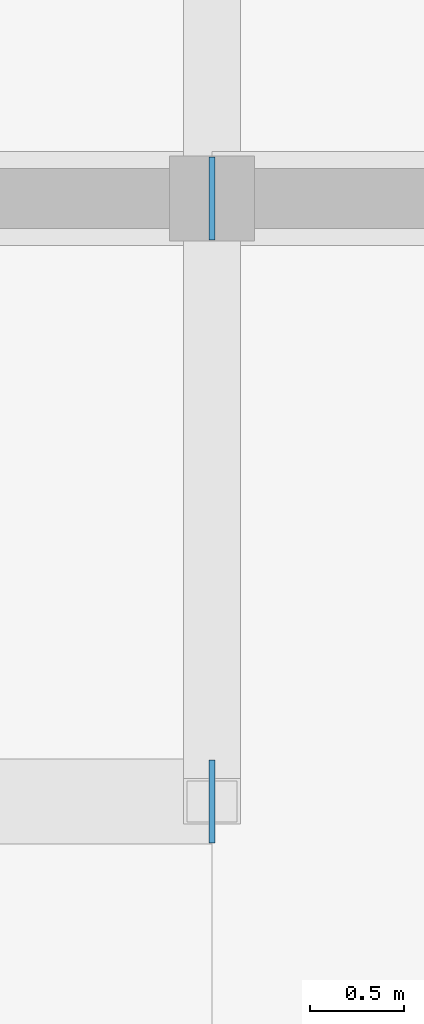
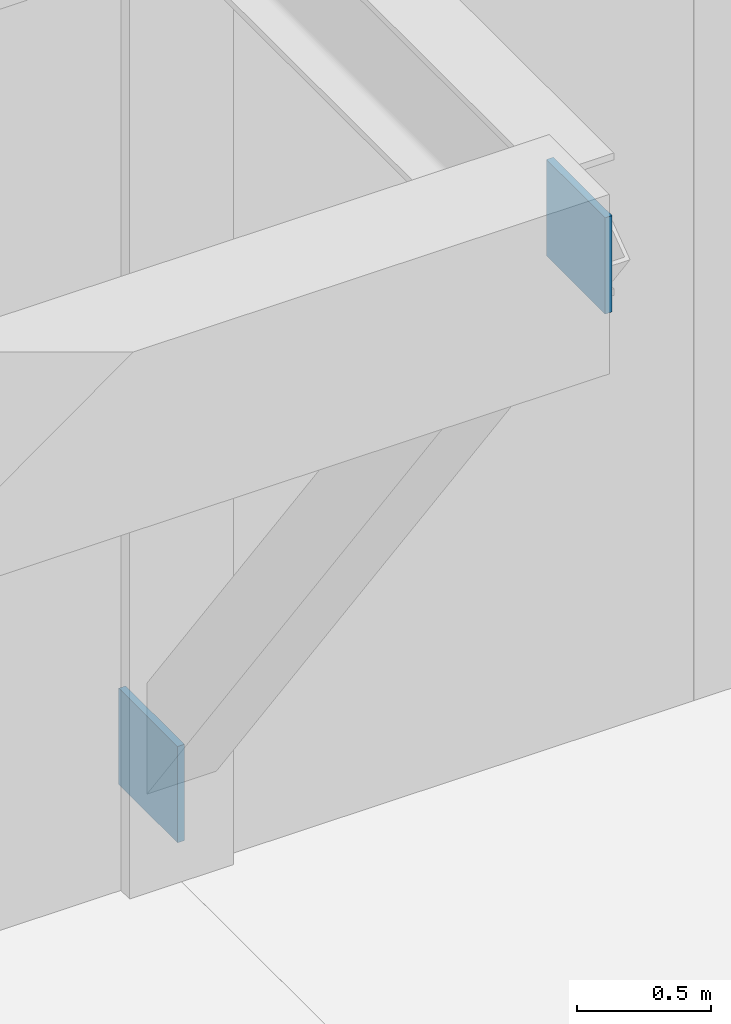
# One storey, part 106 of 138: 2 plates.
"""IFC4 building model written with IfcOpenShell, lengths in metres."""

from ifc_helpers import new_model, si_unit, direction, frame, origin, origin_2d, place, context, subcontext, project, spatial, rectangle, extrude, material, layer, layer_set, type_object, element, save


model = new_model("IFC4")

# Units and contexts
model_context = context("Model", 3, precision=1e-05, world=origin(), true_north=direction((0.0, 1.0)))
body_context = subcontext(model_context, "Body", "Model", "MODEL_VIEW")
ifc_project = project(units=[si_unit("LENGTHUNIT", "METRE"), si_unit("AREAUNIT", "SQUARE_METRE"), si_unit("VOLUMEUNIT", "CUBIC_METRE"), si_unit("PLANEANGLEUNIT", "RADIAN"), si_unit("MASSUNIT", "GRAM", prefix="KILO")], contexts=[model_context])

# Site, building, storey
site_placement = place(None, origin())
site = spatial("IfcSite", under=ifc_project, at=site_placement, CompositionType="ELEMENT")
building_placement = place(site_placement, origin())
building = spatial("IfcBuilding", under=site, at=building_placement, Name="Fikremerkos Civic Library", CompositionType="ELEMENT")
storey_placement = place(building_placement, origin())
storey = spatial("IfcBuildingStorey", under=building, at=storey_placement, Name="L00", CompositionType="ELEMENT", Elevation=0.0)

# Plates
ifc_material = material(Name="Steel S355", Category="steel")
ifc_layer = layer(ifc_material, 0.030029296875, Name="Steel S355")
ifc_layer_set = layer_set([ifc_layer], Name="Steel S355")
plate_type = type_object("IfcPlateType", Name="Steel gusset cap plate GSP-01 440x440x30", PredefinedType="USERDEFINED", material=ifc_layer_set)
for number, where, z_axis, x_axis, name in (
    (1, (113.699951171875, 12.0, 0.179931640625), (0.0, 0.0, 1.0), (1.0, 0.0, 0.0), "Steel gusset cap plate GSP-01 #37"),
    (2, (113.699951171875, 8.800048828125, 4.534912109375), (0.0, 0.0, 1.0), (1.0, 0.0, 0.0), "Steel gusset cap plate GSP-01 #38"),
):
    element("IfcPlate", number, at=place(storey_placement, frame(where, z_axis=z_axis, x_axis=x_axis)), inside=storey, type_object=plate_type, Name=name, ObjectType="GUSSET PLATE", PredefinedType="USERDEFINED", context=body_context, shape_type="SweptSolid", body=[
        extrude(rectangle(XDim=0.030029296875, YDim=0.43994140625, at=origin_2d()), origin(), (0.0, 0.0, 1.0), 0.43994140625),
    ])

save(model, "model.ifc")
